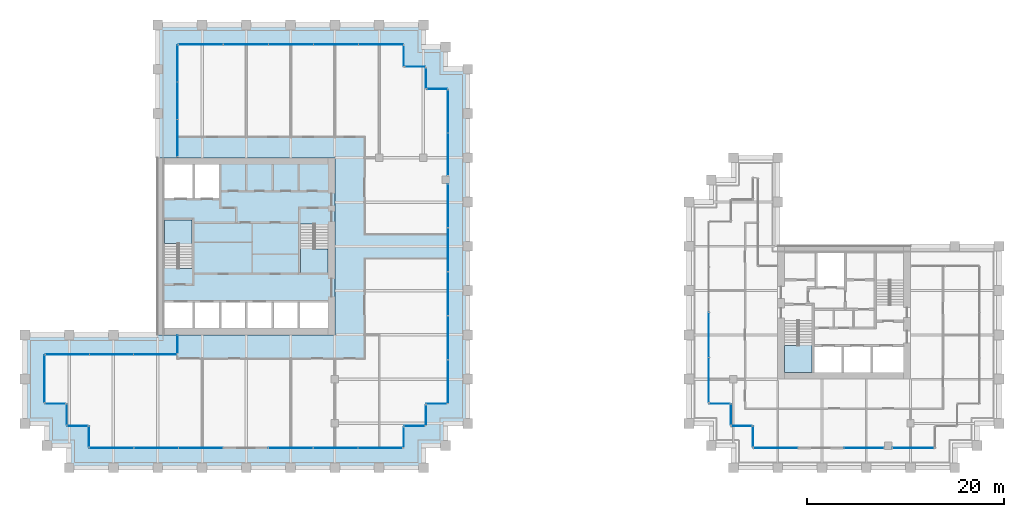
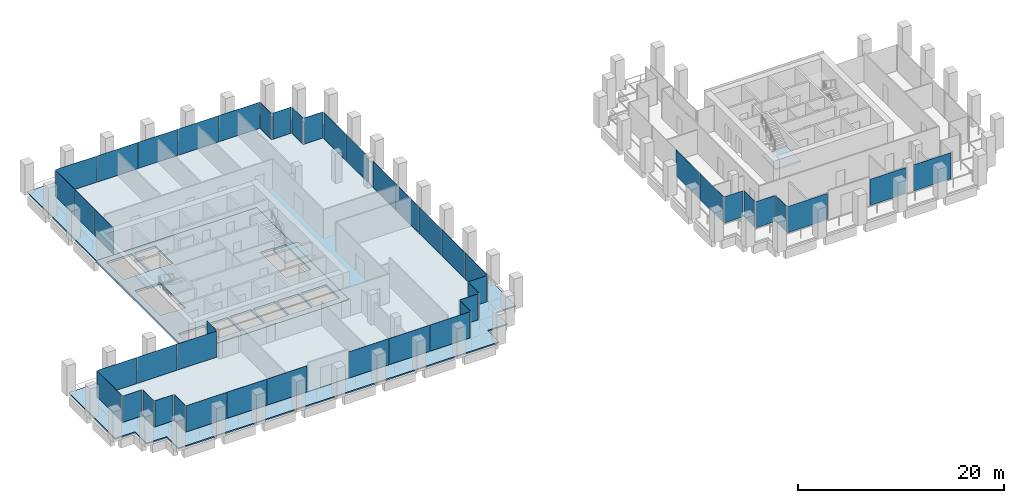
# One storey, part 39 of 46: 47 plates, 6 slabs, 32 elements without a shape of their own.
"""IFC4 building model written with IfcOpenShell, lengths in metres."""

from ifc_helpers import new_model, si_unit, direction, frame, origin, origin_2d, place, context, subcontext, project, spatial, polyline, rectangle, outline, extrude, material, layer, layer_set, type_object, element, aggregate, save


model = new_model("IFC4")

# Units and contexts
model_context = context("Model", 3, precision=1e-05, world=origin(), true_north=direction((0.0, 1.0)))
body_context = subcontext(model_context, "Body", "Model", "MODEL_VIEW")
ifc_project = project(units=[si_unit("LENGTHUNIT", "METRE"), si_unit("AREAUNIT", "SQUARE_METRE"), si_unit("VOLUMEUNIT", "CUBIC_METRE"), si_unit("PLANEANGLEUNIT", "RADIAN"), si_unit("MASSUNIT", "GRAM", prefix="KILO")], contexts=[model_context])

# Site, building, storey
site_placement = place(None, origin())
site = spatial("IfcSite", under=ifc_project, at=site_placement, CompositionType="ELEMENT")
building_placement = place(site_placement, origin())
building = spatial("IfcBuilding", under=site, at=building_placement, Name="Altepetl Exchange Towers", CompositionType="ELEMENT")
storey_placement = place(building_placement, frame((0.0, 0.0, 124.39990234375)))
storey = spatial("IfcBuildingStorey", under=building, at=storey_placement, Name="L30", CompositionType="ELEMENT", Elevation=124.39990234375)

# Slabs
ifc_material_1 = material(Name="Concrete C40/50", Category="concrete")
ifc_layer_1 = layer(ifc_material_1, 0.14990234375)
ifc_layer_set_1 = layer_set([ifc_layer_1], Name="Concrete C40/50")
slab_type_1 = type_object("IfcSlabType", Name="Composite floor slab 150", PredefinedType="FLOOR", material=ifc_layer_set_1)
slab_1_placement = place(storey_placement, frame((0.0, 0.0, -0.14990234375)))
element("IfcSlab", 1, at=slab_1_placement, inside=storey, type_object=slab_type_1, Name="slab:A:L30:strip0", PredefinedType="FLOOR", context=body_context, shape_type="SweptSolid", body=[
    extrude(outline(polyline([(42.5, 70.0), (42.5, 58.5), (58.5, 58.5), (58.5, 40.5), (42.5, 40.5), (42.5, 38.5), (29.0, 38.5), (29.0, 33.5), (31.25, 33.5), (31.25, 31.25), (33.5, 31.25), (33.5, 29.0), (65.5, 29.0), (65.5, 31.25), (67.75, 31.25), (67.75, 33.5), (70.0, 33.5), (70.0, 65.5), (67.75, 65.5), (67.75, 67.75), (65.5, 67.75), (65.5, 70.0), (42.5, 70.0)])), origin(), (0.0, 0.0, 1.0), 0.14990234375),
])
ifc_layer_2 = layer(ifc_material_1, 0.25)
ifc_layer_set_2 = layer_set([ifc_layer_2], Name="Concrete C40/50")
slab_type_2 = type_object("IfcSlabType", Name="Core floor slab 250", PredefinedType="FLOOR", material=ifc_layer_set_2)
slab_2_placement = place(storey_placement, frame((0.0, 0.0, -0.25)))
element("IfcSlab", 2, at=slab_2_placement, inside=storey, type_object=slab_type_2, Name="slab:A:L30:core0", PredefinedType="FLOOR", context=body_context, shape_type="SweptSolid", body=[
    extrude(outline(polyline([(40.5, 40.5), (58.5, 40.5), (58.5, 58.5), (40.5, 58.5), (40.5, 40.5)]), holes=[polyline([(41.199951171875, 43.800048828125), (44.06689453125, 43.800048828125), (44.06689453125, 41.199951171875), (41.199951171875, 41.199951171875), (41.199951171875, 43.800048828125)]), polyline([(44.26708984375, 43.800048828125), (46.73291015625, 43.800048828125), (46.73291015625, 41.199951171875), (44.26708984375, 41.199951171875), (44.26708984375, 43.800048828125)]), polyline([(46.93310546875, 43.800048828125), (49.39990234375, 43.800048828125), (49.39990234375, 41.199951171875), (46.93310546875, 41.199951171875), (46.93310546875, 43.800048828125)]), polyline([(52.06689453125, 43.800048828125), (52.06689453125, 41.199951171875), (49.60009765625, 41.199951171875), (49.60009765625, 43.800048828125), (52.06689453125, 43.800048828125)]), polyline([(54.73291015625, 43.800048828125), (54.73291015625, 41.199951171875), (52.26708984375, 41.199951171875), (52.26708984375, 43.800048828125), (54.73291015625, 43.800048828125)]), polyline([(54.93310546875, 43.800048828125), (57.800048828125, 43.800048828125), (57.800048828125, 41.199951171875), (54.93310546875, 41.199951171875), (54.93310546875, 43.800048828125)]), polyline([(55.0, 51.7490234375), (56.449951171875, 51.7490234375), (56.449951171875, 51.64990234375), (57.800048828125, 51.64990234375), (57.800048828125, 46.800048828125), (55.0, 46.800048828125), (55.0, 51.7490234375)]), polyline([(44.0, 47.2509765625), (42.550048828125, 47.2509765625), (42.550048828125, 47.35009765625), (41.199951171875, 47.35009765625), (41.199951171875, 52.199951171875), (44.0, 52.199951171875), (44.0, 47.2509765625)]), polyline([(44.06689453125, 57.800048828125), (44.06689453125, 54.39990234375), (41.199951171875, 54.39990234375), (41.199951171875, 57.800048828125), (44.06689453125, 57.800048828125)]), polyline([(46.73291015625, 57.800048828125), (46.73291015625, 54.39990234375), (44.26708984375, 54.39990234375), (44.26708984375, 57.800048828125), (46.73291015625, 57.800048828125)])]), origin(), (0.0, 0.0, 1.0), 0.25),
])

# Curtain wall, plate
ifc_material_2 = material(Name="Aluminium 6063-T6 glazing", Category="aluminium")
curtain_wall_type = type_object("IfcCurtainWallType", Name="Loggia glazing system", PredefinedType="NOTDEFINED", material=ifc_material_2)
curtain_wall_1_placement = place(storey_placement, origin())
curtain_wall_1 = element("IfcCurtainWall", 3, at=curtain_wall_1_placement, inside=storey, type_object=curtain_wall_type, Name="CW1 run", PredefinedType="NOTDEFINED")
ifc_material_3 = material(Name="Glass 6-16-6 low emissivity", Category="glass")
ifc_layer_3 = layer(ifc_material_3, 0.028076171875)
ifc_layer_set_3 = layer_set([ifc_layer_3], Name="Glass 6-16-6 low emissivity")
plate_type = type_object("IfcPlateType", Name="Glass panel 28 double glazed", PredefinedType="CURTAIN_PANEL", material=ifc_layer_set_3)
plate_1_placement = place(storey_placement, frame((42.5, 39.53759765625, 0.0), z_axis=(0.0, 0.0, 1.0), x_axis=(0.0, -1.0, 0.0)))
plate_1 = element("IfcPlate", 4, at=plate_1_placement, type_object=plate_type, Name="GP1 panel", PredefinedType="CURTAIN_PANEL", context=body_context, shape_type="SweptSolid", body=[
    extrude(rectangle(XDim=1.804931640625, YDim=0.028076171875, at=origin_2d()), origin(), (0.0, 0.0, 1.0), 3.10009765625),
])
aggregate(curtain_wall_1, [plate_1])

# Curtain wall, plates
curtain_wall_2_placement = place(storey_placement, origin())
curtain_wall_2 = element("IfcCurtainWall", 5, at=curtain_wall_2_placement, inside=storey, type_object=curtain_wall_type, Name="CW1 run", PredefinedType="NOTDEFINED")
plate_2_placement = place(storey_placement, frame((40.24755859375, 38.5, 0.0), z_axis=(0.0, 0.0, 1.0), x_axis=(-1.0, 0.0, 0.0)))
plate_2 = element("IfcPlate", 6, at=plate_2_placement, type_object=plate_type, Name="GP1 panel", PredefinedType="CURTAIN_PANEL", context=body_context, shape_type="SweptSolid", body=[
    extrude(rectangle(XDim=4.385009765625, YDim=0.028076171875, at=origin_2d()), origin(), (0.0, 0.0, 1.0), 3.10009765625),
])
plate_3_placement = place(storey_placement, frame((35.78759765625, 38.5, 0.0), z_axis=(0.0, 0.0, 1.0), x_axis=(-1.0, 0.0, 0.0)))
plate_3 = element("IfcPlate", 7, at=plate_3_placement, type_object=plate_type, Name="GP1 panel", PredefinedType="CURTAIN_PANEL", context=body_context, shape_type="SweptSolid", body=[
    extrude(rectangle(XDim=4.4150390625, YDim=0.028076171875, at=origin_2d()), origin(), (0.0, 0.0, 1.0), 3.10009765625),
])
plate_4_placement = place(storey_placement, frame((31.327392578125, 38.5, 0.0), z_axis=(0.0, 0.0, 1.0), x_axis=(-1.0, 0.0, 0.0)))
plate_4 = element("IfcPlate", 8, at=plate_4_placement, type_object=plate_type, Name="GP1 panel", PredefinedType="CURTAIN_PANEL", context=body_context, shape_type="SweptSolid", body=[
    extrude(rectangle(XDim=4.385009765625, YDim=0.028076171875, at=origin_2d()), origin(), (0.0, 0.0, 1.0), 3.10009765625),
])
aggregate(curtain_wall_2, [plate_2, plate_3, plate_4])

# Curtain wall, plate
curtain_wall_3_placement = place(storey_placement, origin())
curtain_wall_3 = element("IfcCurtainWall", 9, at=curtain_wall_3_placement, inside=storey, type_object=curtain_wall_type, Name="CW1 run", PredefinedType="NOTDEFINED")
plate_5_placement = place(storey_placement, frame((29.0, 36.03759765625, 0.0), z_axis=(0.0, 0.0, 1.0), x_axis=(0.0, -1.0, 0.0)))
plate_5 = element("IfcPlate", 10, at=plate_5_placement, type_object=plate_type, Name="GP1 panel", PredefinedType="CURTAIN_PANEL", context=body_context, shape_type="SweptSolid", body=[
    extrude(rectangle(XDim=4.804931640625, YDim=0.028076171875, at=origin_2d()), origin(), (0.0, 0.0, 1.0), 3.10009765625),
])
aggregate(curtain_wall_3, [plate_5])

curtain_wall_4_placement = place(storey_placement, origin())
curtain_wall_4 = element("IfcCurtainWall", 11, at=curtain_wall_4_placement, inside=storey, type_object=curtain_wall_type, Name="CW1 run", PredefinedType="NOTDEFINED")
plate_6_placement = place(storey_placement, frame((30.08740234375, 33.5, 0.0)))
plate_6 = element("IfcPlate", 12, at=plate_6_placement, type_object=plate_type, Name="GP1 panel", PredefinedType="CURTAIN_PANEL", context=body_context, shape_type="SweptSolid", body=[
    extrude(rectangle(XDim=2.054931640625, YDim=0.028076171875, at=origin_2d()), origin(), (0.0, 0.0, 1.0), 3.10009765625),
])
aggregate(curtain_wall_4, [plate_6])

curtain_wall_5_placement = place(storey_placement, origin())
curtain_wall_5 = element("IfcCurtainWall", 13, at=curtain_wall_5_placement, inside=storey, type_object=curtain_wall_type, Name="CW1 run", PredefinedType="NOTDEFINED")
plate_7_placement = place(storey_placement, frame((31.25, 32.41259765625, 0.0), z_axis=(0.0, 0.0, 1.0), x_axis=(0.0, -1.0, 0.0)))
plate_7 = element("IfcPlate", 14, at=plate_7_placement, type_object=plate_type, Name="GP1 panel", PredefinedType="CURTAIN_PANEL", context=body_context, shape_type="SweptSolid", body=[
    extrude(rectangle(XDim=2.054931640625, YDim=0.028076171875, at=origin_2d()), origin(), (0.0, 0.0, 1.0), 3.10009765625),
])
aggregate(curtain_wall_5, [plate_7])

curtain_wall_6_placement = place(storey_placement, origin())
curtain_wall_6 = element("IfcCurtainWall", 15, at=curtain_wall_6_placement, inside=storey, type_object=curtain_wall_type, Name="CW1 run", PredefinedType="NOTDEFINED")
plate_8_placement = place(storey_placement, frame((32.33740234375, 31.25, 0.0)))
plate_8 = element("IfcPlate", 16, at=plate_8_placement, type_object=plate_type, Name="GP1 panel", PredefinedType="CURTAIN_PANEL", context=body_context, shape_type="SweptSolid", body=[
    extrude(rectangle(XDim=2.054931640625, YDim=0.028076171875, at=origin_2d()), origin(), (0.0, 0.0, 1.0), 3.10009765625),
])
aggregate(curtain_wall_6, [plate_8])

curtain_wall_7_placement = place(storey_placement, origin())
curtain_wall_7 = element("IfcCurtainWall", 17, at=curtain_wall_7_placement, inside=storey, type_object=curtain_wall_type, Name="CW1 run", PredefinedType="NOTDEFINED")
plate_9_placement = place(storey_placement, frame((33.5, 30.16259765625, 0.0), z_axis=(0.0, 0.0, 1.0), x_axis=(0.0, -1.0, 0.0)))
plate_9 = element("IfcPlate", 18, at=plate_9_placement, type_object=plate_type, Name="GP1 panel", PredefinedType="CURTAIN_PANEL", context=body_context, shape_type="SweptSolid", body=[
    extrude(rectangle(XDim=2.054931640625, YDim=0.028076171875, at=origin_2d()), origin(), (0.0, 0.0, 1.0), 3.10009765625),
])
aggregate(curtain_wall_7, [plate_9])

# Curtain wall, plates
curtain_wall_8_placement = place(storey_placement, origin())
curtain_wall_8 = element("IfcCurtainWall", 19, at=curtain_wall_8_placement, inside=storey, type_object=curtain_wall_type, Name="CW1 run", PredefinedType="NOTDEFINED")
plate_10_placement = place(storey_placement, frame((35.79541015625, 29.0, 0.0)))
plate_10 = element("IfcPlate", 20, at=plate_10_placement, type_object=plate_type, Name="GP1 panel", PredefinedType="CURTAIN_PANEL", context=body_context, shape_type="SweptSolid", body=[
    extrude(rectangle(XDim=4.470703125, YDim=0.028076171875, at=origin_2d()), origin(), (0.0, 0.0, 1.0), 3.10009765625),
])
plate_11_placement = place(storey_placement, frame((40.341064453125, 29.0, 0.0)))
plate_11 = element("IfcPlate", 21, at=plate_11_placement, type_object=plate_type, Name="GP1 panel", PredefinedType="CURTAIN_PANEL", context=body_context, shape_type="SweptSolid", body=[
    extrude(rectangle(XDim=4.500732421875, YDim=0.028076171875, at=origin_2d()), origin(), (0.0, 0.0, 1.0), 3.10009765625),
])
plate_12_placement = place(storey_placement, frame((44.88671875, 29.0, 0.0)))
plate_12 = element("IfcPlate", 22, at=plate_12_placement, type_object=plate_type, Name="GP1 panel", PredefinedType="CURTAIN_PANEL", context=body_context, shape_type="SweptSolid", body=[
    extrude(rectangle(XDim=4.470703125, YDim=0.028076171875, at=origin_2d()), origin(), (0.0, 0.0, 1.0), 3.10009765625),
])
aggregate(curtain_wall_8, [plate_10, plate_11, plate_12])

curtain_wall_9_placement = place(storey_placement, origin())
curtain_wall_9 = element("IfcCurtainWall", 23, at=curtain_wall_9_placement, inside=storey, type_object=curtain_wall_type, Name="CW1 run", PredefinedType="NOTDEFINED")
plate_13_placement = place(storey_placement, frame((54.038330078125, 29.0, 0.0)))
plate_13 = element("IfcPlate", 24, at=plate_13_placement, type_object=plate_type, Name="GP1 panel", PredefinedType="CURTAIN_PANEL", context=body_context, shape_type="SweptSolid", body=[
    extrude(rectangle(XDim=4.470703125, YDim=0.028076171875, at=origin_2d()), origin(), (0.0, 0.0, 1.0), 3.10009765625),
])
plate_14_placement = place(storey_placement, frame((58.583984375, 29.0, 0.0)))
plate_14 = element("IfcPlate", 25, at=plate_14_placement, type_object=plate_type, Name="GP1 panel", PredefinedType="CURTAIN_PANEL", context=body_context, shape_type="SweptSolid", body=[
    extrude(rectangle(XDim=4.500732421875, YDim=0.028076171875, at=origin_2d()), origin(), (0.0, 0.0, 1.0), 3.10009765625),
])
plate_15_placement = place(storey_placement, frame((63.129638671875, 29.0, 0.0)))
plate_15 = element("IfcPlate", 26, at=plate_15_placement, type_object=plate_type, Name="GP1 panel", PredefinedType="CURTAIN_PANEL", context=body_context, shape_type="SweptSolid", body=[
    extrude(rectangle(XDim=4.470703125, YDim=0.028076171875, at=origin_2d()), origin(), (0.0, 0.0, 1.0), 3.10009765625),
])
aggregate(curtain_wall_9, [plate_13, plate_14, plate_15])

# Curtain wall, plate
curtain_wall_10_placement = place(storey_placement, origin())
curtain_wall_10 = element("IfcCurtainWall", 27, at=curtain_wall_10_placement, inside=storey, type_object=curtain_wall_type, Name="CW1 run", PredefinedType="NOTDEFINED")
plate_16_placement = place(storey_placement, frame((65.5, 30.08740234375, 0.0), z_axis=(0.0, 0.0, 1.0), x_axis=(0.0, 1.0, 0.0)))
plate_16 = element("IfcPlate", 28, at=plate_16_placement, type_object=plate_type, Name="GP1 panel", PredefinedType="CURTAIN_PANEL", context=body_context, shape_type="SweptSolid", body=[
    extrude(rectangle(XDim=2.054931640625, YDim=0.028076171875, at=origin_2d()), origin(), (0.0, 0.0, 1.0), 3.10009765625),
])
aggregate(curtain_wall_10, [plate_16])

curtain_wall_11_placement = place(storey_placement, origin())
curtain_wall_11 = element("IfcCurtainWall", 29, at=curtain_wall_11_placement, inside=storey, type_object=curtain_wall_type, Name="CW1 run", PredefinedType="NOTDEFINED")
plate_17_placement = place(storey_placement, frame((66.58740234375, 31.25, 0.0)))
plate_17 = element("IfcPlate", 30, at=plate_17_placement, type_object=plate_type, Name="GP1 panel", PredefinedType="CURTAIN_PANEL", context=body_context, shape_type="SweptSolid", body=[
    extrude(rectangle(XDim=2.054931640625, YDim=0.028076171875, at=origin_2d()), origin(), (0.0, 0.0, 1.0), 3.10009765625),
])
aggregate(curtain_wall_11, [plate_17])

curtain_wall_12_placement = place(storey_placement, origin())
curtain_wall_12 = element("IfcCurtainWall", 31, at=curtain_wall_12_placement, inside=storey, type_object=curtain_wall_type, Name="CW1 run", PredefinedType="NOTDEFINED")
plate_18_placement = place(storey_placement, frame((67.75, 32.33740234375, 0.0), z_axis=(0.0, 0.0, 1.0), x_axis=(0.0, 1.0, 0.0)))
plate_18 = element("IfcPlate", 32, at=plate_18_placement, type_object=plate_type, Name="GP1 panel", PredefinedType="CURTAIN_PANEL", context=body_context, shape_type="SweptSolid", body=[
    extrude(rectangle(XDim=2.054931640625, YDim=0.028076171875, at=origin_2d()), origin(), (0.0, 0.0, 1.0), 3.10009765625),
])
aggregate(curtain_wall_12, [plate_18])

curtain_wall_13_placement = place(storey_placement, origin())
curtain_wall_13 = element("IfcCurtainWall", 33, at=curtain_wall_13_placement, inside=storey, type_object=curtain_wall_type, Name="CW1 run", PredefinedType="NOTDEFINED")
plate_19_placement = place(storey_placement, frame((68.83740234375, 33.5, 0.0)))
plate_19 = element("IfcPlate", 34, at=plate_19_placement, type_object=plate_type, Name="GP1 panel", PredefinedType="CURTAIN_PANEL", context=body_context, shape_type="SweptSolid", body=[
    extrude(rectangle(XDim=2.054931640625, YDim=0.028076171875, at=origin_2d()), origin(), (0.0, 0.0, 1.0), 3.10009765625),
])
aggregate(curtain_wall_13, [plate_19])

# Curtain wall, plates
curtain_wall_14_placement = place(storey_placement, origin())
curtain_wall_14 = element("IfcCurtainWall", 35, at=curtain_wall_14_placement, inside=storey, type_object=curtain_wall_type, Name="CW1 run", PredefinedType="NOTDEFINED")
plate_20_placement = place(storey_placement, frame((70.0, 35.75048828125, 0.0), z_axis=(0.0, 0.0, 1.0), x_axis=(0.0, 1.0, 0.0)))
plate_20 = element("IfcPlate", 36, at=plate_20_placement, type_object=plate_type, Name="GP1 panel", PredefinedType="CURTAIN_PANEL", context=body_context, shape_type="SweptSolid", body=[
    extrude(rectangle(XDim=4.381103515625, YDim=0.028076171875, at=origin_2d()), origin(), (0.0, 0.0, 1.0), 3.10009765625),
])
plate_21_placement = place(storey_placement, frame((70.0, 40.20654296875, 0.0), z_axis=(0.0, 0.0, 1.0), x_axis=(0.0, 1.0, 0.0)))
plate_21 = element("IfcPlate", 37, at=plate_21_placement, type_object=plate_type, Name="GP1 panel", PredefinedType="CURTAIN_PANEL", context=body_context, shape_type="SweptSolid", body=[
    extrude(rectangle(XDim=4.410888671875, YDim=0.028076171875, at=origin_2d()), origin(), (0.0, 0.0, 1.0), 3.10009765625),
])
plate_22_placement = place(storey_placement, frame((70.0, 44.677490234375, 0.0), z_axis=(0.0, 0.0, 1.0), x_axis=(0.0, 1.0, 0.0)))
plate_22 = element("IfcPlate", 38, at=plate_22_placement, type_object=plate_type, Name="GP1 panel", PredefinedType="CURTAIN_PANEL", context=body_context, shape_type="SweptSolid", body=[
    extrude(rectangle(XDim=4.410888671875, YDim=0.028076171875, at=origin_2d()), origin(), (0.0, 0.0, 1.0), 3.10009765625),
])
plate_23_placement = place(storey_placement, frame((70.0, 49.1484375, 0.0), z_axis=(0.0, 0.0, 1.0), x_axis=(0.0, 1.0, 0.0)))
plate_23 = element("IfcPlate", 39, at=plate_23_placement, type_object=plate_type, Name="GP1 panel", PredefinedType="CURTAIN_PANEL", context=body_context, shape_type="SweptSolid", body=[
    extrude(rectangle(XDim=4.410888671875, YDim=0.028076171875, at=origin_2d()), origin(), (0.0, 0.0, 1.0), 3.10009765625),
])
plate_24_placement = place(storey_placement, frame((70.0, 53.6044921875, 0.0), z_axis=(0.0, 0.0, 1.0), x_axis=(0.0, 1.0, 0.0)))
plate_24 = element("IfcPlate", 40, at=plate_24_placement, type_object=plate_type, Name="GP1 panel", PredefinedType="CURTAIN_PANEL", context=body_context, shape_type="SweptSolid", body=[
    extrude(rectangle(XDim=4.381103515625, YDim=0.028076171875, at=origin_2d()), origin(), (0.0, 0.0, 1.0), 3.10009765625),
])
aggregate(curtain_wall_14, [plate_20, plate_21, plate_22, plate_23, plate_24])

curtain_wall_15_placement = place(storey_placement, origin())
curtain_wall_15 = element("IfcCurtainWall", 41, at=curtain_wall_15_placement, inside=storey, type_object=curtain_wall_type, Name="CW1 run", PredefinedType="NOTDEFINED")
plate_25_placement = place(storey_placement, frame((70.0, 58.85498046875, 0.0), z_axis=(0.0, 0.0, 1.0), x_axis=(0.0, 1.0, 0.0)))
plate_25 = element("IfcPlate", 42, at=plate_25_placement, type_object=plate_type, Name="GP1 panel", PredefinedType="CURTAIN_PANEL", context=body_context, shape_type="SweptSolid", body=[
    extrude(rectangle(XDim=4.300048828125, YDim=0.028076171875, at=origin_2d()), origin(), (0.0, 0.0, 1.0), 3.10009765625),
])
plate_26_placement = place(storey_placement, frame((70.0, 63.215087890625, 0.0), z_axis=(0.0, 0.0, 1.0), x_axis=(0.0, 1.0, 0.0)))
plate_26 = element("IfcPlate", 43, at=plate_26_placement, type_object=plate_type, Name="GP1 panel", PredefinedType="CURTAIN_PANEL", context=body_context, shape_type="SweptSolid", body=[
    extrude(rectangle(XDim=4.300048828125, YDim=0.028076171875, at=origin_2d()), origin(), (0.0, 0.0, 1.0), 3.10009765625),
])
aggregate(curtain_wall_15, [plate_25, plate_26])

# Curtain wall, plate
curtain_wall_16_placement = place(storey_placement, origin())
curtain_wall_16 = element("IfcCurtainWall", 44, at=curtain_wall_16_placement, inside=storey, type_object=curtain_wall_type, Name="CW1 run", PredefinedType="NOTDEFINED")
plate_27_placement = place(storey_placement, frame((68.91259765625, 65.5, 0.0), z_axis=(0.0, 0.0, 1.0), x_axis=(-1.0, 0.0, 0.0)))
plate_27 = element("IfcPlate", 45, at=plate_27_placement, type_object=plate_type, Name="GP1 panel", PredefinedType="CURTAIN_PANEL", context=body_context, shape_type="SweptSolid", body=[
    extrude(rectangle(XDim=2.054931640625, YDim=0.028076171875, at=origin_2d()), origin(), (0.0, 0.0, 1.0), 3.10009765625),
])
aggregate(curtain_wall_16, [plate_27])

curtain_wall_17_placement = place(storey_placement, origin())
curtain_wall_17 = element("IfcCurtainWall", 46, at=curtain_wall_17_placement, inside=storey, type_object=curtain_wall_type, Name="CW1 run", PredefinedType="NOTDEFINED")
plate_28_placement = place(storey_placement, frame((67.75, 66.58740234375, 0.0), z_axis=(0.0, 0.0, 1.0), x_axis=(0.0, 1.0, 0.0)))
plate_28 = element("IfcPlate", 47, at=plate_28_placement, type_object=plate_type, Name="GP1 panel", PredefinedType="CURTAIN_PANEL", context=body_context, shape_type="SweptSolid", body=[
    extrude(rectangle(XDim=2.054931640625, YDim=0.028076171875, at=origin_2d()), origin(), (0.0, 0.0, 1.0), 3.10009765625),
])
aggregate(curtain_wall_17, [plate_28])

curtain_wall_18_placement = place(storey_placement, origin())
curtain_wall_18 = element("IfcCurtainWall", 48, at=curtain_wall_18_placement, inside=storey, type_object=curtain_wall_type, Name="CW1 run", PredefinedType="NOTDEFINED")
plate_29_placement = place(storey_placement, frame((66.66259765625, 67.75, 0.0), z_axis=(0.0, 0.0, 1.0), x_axis=(-1.0, 0.0, 0.0)))
plate_29 = element("IfcPlate", 49, at=plate_29_placement, type_object=plate_type, Name="GP1 panel", PredefinedType="CURTAIN_PANEL", context=body_context, shape_type="SweptSolid", body=[
    extrude(rectangle(XDim=2.054931640625, YDim=0.028076171875, at=origin_2d()), origin(), (0.0, 0.0, 1.0), 3.10009765625),
])
aggregate(curtain_wall_18, [plate_29])

curtain_wall_19_placement = place(storey_placement, origin())
curtain_wall_19 = element("IfcCurtainWall", 50, at=curtain_wall_19_placement, inside=storey, type_object=curtain_wall_type, Name="CW1 run", PredefinedType="NOTDEFINED")
plate_30_placement = place(storey_placement, frame((65.5, 68.83740234375, 0.0), z_axis=(0.0, 0.0, 1.0), x_axis=(0.0, 1.0, 0.0)))
plate_30 = element("IfcPlate", 51, at=plate_30_placement, type_object=plate_type, Name="GP1 panel", PredefinedType="CURTAIN_PANEL", context=body_context, shape_type="SweptSolid", body=[
    extrude(rectangle(XDim=2.054931640625, YDim=0.028076171875, at=origin_2d()), origin(), (0.0, 0.0, 1.0), 3.10009765625),
])
aggregate(curtain_wall_19, [plate_30])

# Curtain wall, plates
curtain_wall_20_placement = place(storey_placement, origin())
curtain_wall_20 = element("IfcCurtainWall", 52, at=curtain_wall_20_placement, inside=storey, type_object=curtain_wall_type, Name="CW1 run", PredefinedType="NOTDEFINED")
plate_31_placement = place(storey_placement, frame((63.1923828125, 70.0, 0.0), z_axis=(0.0, 0.0, 1.0), x_axis=(-1.0, 0.0, 0.0)))
plate_31 = element("IfcPlate", 53, at=plate_31_placement, type_object=plate_type, Name="GP1 panel", PredefinedType="CURTAIN_PANEL", context=body_context, shape_type="SweptSolid", body=[
    extrude(rectangle(XDim=4.4951171875, YDim=0.028076171875, at=origin_2d()), origin(), (0.0, 0.0, 1.0), 3.10009765625),
])
plate_32_placement = place(storey_placement, frame((58.62255859375, 70.0, 0.0), z_axis=(0.0, 0.0, 1.0), x_axis=(-1.0, 0.0, 0.0)))
plate_32 = element("IfcPlate", 54, at=plate_32_placement, type_object=plate_type, Name="GP1 panel", PredefinedType="CURTAIN_PANEL", context=body_context, shape_type="SweptSolid", body=[
    extrude(rectangle(XDim=4.52490234375, YDim=0.028076171875, at=origin_2d()), origin(), (0.0, 0.0, 1.0), 3.10009765625),
])
plate_33_placement = place(storey_placement, frame((54.03759765625, 70.0, 0.0), z_axis=(0.0, 0.0, 1.0), x_axis=(-1.0, 0.0, 0.0)))
plate_33 = element("IfcPlate", 55, at=plate_33_placement, type_object=plate_type, Name="GP1 panel", PredefinedType="CURTAIN_PANEL", context=body_context, shape_type="SweptSolid", body=[
    extrude(rectangle(XDim=4.52490234375, YDim=0.028076171875, at=origin_2d()), origin(), (0.0, 0.0, 1.0), 3.10009765625),
])
plate_34_placement = place(storey_placement, frame((49.452392578125, 70.0, 0.0), z_axis=(0.0, 0.0, 1.0), x_axis=(-1.0, 0.0, 0.0)))
plate_34 = element("IfcPlate", 56, at=plate_34_placement, type_object=plate_type, Name="GP1 panel", PredefinedType="CURTAIN_PANEL", context=body_context, shape_type="SweptSolid", body=[
    extrude(rectangle(XDim=4.52490234375, YDim=0.028076171875, at=origin_2d()), origin(), (0.0, 0.0, 1.0), 3.10009765625),
])
plate_35_placement = place(storey_placement, frame((44.882568359375, 70.0, 0.0), z_axis=(0.0, 0.0, 1.0), x_axis=(-1.0, 0.0, 0.0)))
plate_35 = element("IfcPlate", 57, at=plate_35_placement, type_object=plate_type, Name="GP1 panel", PredefinedType="CURTAIN_PANEL", context=body_context, shape_type="SweptSolid", body=[
    extrude(rectangle(XDim=4.4951171875, YDim=0.028076171875, at=origin_2d()), origin(), (0.0, 0.0, 1.0), 3.10009765625),
])
aggregate(curtain_wall_20, [plate_31, plate_32, plate_33, plate_34, plate_35])

curtain_wall_21_placement = place(storey_placement, origin())
curtain_wall_21 = element("IfcCurtainWall", 58, at=curtain_wall_21_placement, inside=storey, type_object=curtain_wall_type, Name="CW1 run", PredefinedType="NOTDEFINED")
plate_36_placement = place(storey_placement, frame((42.5, 68.080810546875, 0.0), z_axis=(0.0, 0.0, 1.0), x_axis=(0.0, -1.0, 0.0)))
plate_36 = element("IfcPlate", 59, at=plate_36_placement, type_object=plate_type, Name="GP1 panel", PredefinedType="CURTAIN_PANEL", context=body_context, shape_type="SweptSolid", body=[
    extrude(rectangle(XDim=3.71826171875, YDim=0.028076171875, at=origin_2d()), origin(), (0.0, 0.0, 1.0), 3.10009765625),
])
plate_37_placement = place(storey_placement, frame((42.5, 64.28759765625, 0.0), z_axis=(0.0, 0.0, 1.0), x_axis=(0.0, -1.0, 0.0)))
plate_37 = element("IfcPlate", 60, at=plate_37_placement, type_object=plate_type, Name="GP1 panel", PredefinedType="CURTAIN_PANEL", context=body_context, shape_type="SweptSolid", body=[
    extrude(rectangle(XDim=3.748291015625, YDim=0.028076171875, at=origin_2d()), origin(), (0.0, 0.0, 1.0), 3.10009765625),
])
plate_38_placement = place(storey_placement, frame((42.5, 60.494140625, 0.0), z_axis=(0.0, 0.0, 1.0), x_axis=(0.0, -1.0, 0.0)))
plate_38 = element("IfcPlate", 61, at=plate_38_placement, type_object=plate_type, Name="GP1 panel", PredefinedType="CURTAIN_PANEL", context=body_context, shape_type="SweptSolid", body=[
    extrude(rectangle(XDim=3.71826171875, YDim=0.028076171875, at=origin_2d()), origin(), (0.0, 0.0, 1.0), 3.10009765625),
])
aggregate(curtain_wall_21, [plate_36, plate_37, plate_38])

curtain_wall_22_placement = place(storey_placement, origin())
curtain_wall_22 = element("IfcCurtainWall", 62, at=curtain_wall_22_placement, inside=storey, type_object=curtain_wall_type, Name="CW1 run", PredefinedType="NOTDEFINED")
plate_39_placement = place(storey_placement, frame((96.5, 40.484375, 0.0), z_axis=(0.0, 0.0, 1.0), x_axis=(0.0, -1.0, 0.0)))
plate_39 = element("IfcPlate", 63, at=plate_39_placement, type_object=plate_type, Name="GP1 panel", PredefinedType="CURTAIN_PANEL", context=body_context, shape_type="SweptSolid", body=[
    extrude(rectangle(XDim=4.546142578125, YDim=0.028076171875, at=origin_2d()), origin(), (0.0, 0.0, 1.0), 3.10009765625),
])
plate_40_placement = place(storey_placement, frame((96.5, 35.89306640625, 0.0), z_axis=(0.0, 0.0, 1.0), x_axis=(0.0, -1.0, 0.0)))
plate_40 = element("IfcPlate", 64, at=plate_40_placement, type_object=plate_type, Name="GP1 panel", PredefinedType="CURTAIN_PANEL", context=body_context, shape_type="SweptSolid", body=[
    extrude(rectangle(XDim=4.516357421875, YDim=0.028076171875, at=origin_2d()), origin(), (0.0, 0.0, 1.0), 3.10009765625),
])
aggregate(curtain_wall_22, [plate_39, plate_40])

# Curtain wall, plate
curtain_wall_23_placement = place(storey_placement, origin())
curtain_wall_23 = element("IfcCurtainWall", 65, at=curtain_wall_23_placement, inside=storey, type_object=curtain_wall_type, Name="CW1 run", PredefinedType="NOTDEFINED")
plate_41_placement = place(storey_placement, frame((97.58740234375, 33.5, 0.0)))
plate_41 = element("IfcPlate", 66, at=plate_41_placement, type_object=plate_type, Name="GP1 panel", PredefinedType="CURTAIN_PANEL", context=body_context, shape_type="SweptSolid", body=[
    extrude(rectangle(XDim=2.054931640625, YDim=0.028076171875, at=origin_2d()), origin(), (0.0, 0.0, 1.0), 3.10009765625),
])
aggregate(curtain_wall_23, [plate_41])

curtain_wall_24_placement = place(storey_placement, origin())
curtain_wall_24 = element("IfcCurtainWall", 67, at=curtain_wall_24_placement, inside=storey, type_object=curtain_wall_type, Name="CW1 run", PredefinedType="NOTDEFINED")
plate_42_placement = place(storey_placement, frame((98.75, 32.41259765625, 0.0), z_axis=(0.0, 0.0, 1.0), x_axis=(0.0, -1.0, 0.0)))
plate_42 = element("IfcPlate", 68, at=plate_42_placement, type_object=plate_type, Name="GP1 panel", PredefinedType="CURTAIN_PANEL", context=body_context, shape_type="SweptSolid", body=[
    extrude(rectangle(XDim=2.054931640625, YDim=0.028076171875, at=origin_2d()), origin(), (0.0, 0.0, 1.0), 3.10009765625),
])
aggregate(curtain_wall_24, [plate_42])

curtain_wall_25_placement = place(storey_placement, origin())
curtain_wall_25 = element("IfcCurtainWall", 69, at=curtain_wall_25_placement, inside=storey, type_object=curtain_wall_type, Name="CW1 run", PredefinedType="NOTDEFINED")
plate_43_placement = place(storey_placement, frame((99.83740234375, 31.25, 0.0)))
plate_43 = element("IfcPlate", 70, at=plate_43_placement, type_object=plate_type, Name="GP1 panel", PredefinedType="CURTAIN_PANEL", context=body_context, shape_type="SweptSolid", body=[
    extrude(rectangle(XDim=2.054931640625, YDim=0.028076171875, at=origin_2d()), origin(), (0.0, 0.0, 1.0), 3.10009765625),
])
aggregate(curtain_wall_25, [plate_43])

curtain_wall_26_placement = place(storey_placement, origin())
curtain_wall_26 = element("IfcCurtainWall", 71, at=curtain_wall_26_placement, inside=storey, type_object=curtain_wall_type, Name="CW1 run", PredefinedType="NOTDEFINED")
plate_44_placement = place(storey_placement, frame((101.0, 30.16259765625, 0.0), z_axis=(0.0, 0.0, 1.0), x_axis=(0.0, -1.0, 0.0)))
plate_44 = element("IfcPlate", 72, at=plate_44_placement, type_object=plate_type, Name="GP1 panel", PredefinedType="CURTAIN_PANEL", context=body_context, shape_type="SweptSolid", body=[
    extrude(rectangle(XDim=2.054931640625, YDim=0.028076171875, at=origin_2d()), origin(), (0.0, 0.0, 1.0), 3.10009765625),
])
aggregate(curtain_wall_26, [plate_44])

curtain_wall_27_placement = place(storey_placement, origin())
curtain_wall_27 = element("IfcCurtainWall", 73, at=curtain_wall_27_placement, inside=storey, type_object=curtain_wall_type, Name="CW1 run", PredefinedType="NOTDEFINED")
plate_45_placement = place(storey_placement, frame((103.30322265625, 29.0, 0.0)))
plate_45 = element("IfcPlate", 74, at=plate_45_placement, type_object=plate_type, Name="GP1 panel", PredefinedType="CURTAIN_PANEL", context=body_context, shape_type="SweptSolid", body=[
    extrude(rectangle(XDim=4.486328125, YDim=0.028076171875, at=origin_2d()), origin(), (0.0, 0.0, 1.0), 3.10009765625),
])
aggregate(curtain_wall_27, [plate_45])

curtain_wall_28_placement = place(storey_placement, origin())
curtain_wall_28 = element("IfcCurtainWall", 75, at=curtain_wall_28_placement, inside=storey, type_object=curtain_wall_type, Name="CW1 run", PredefinedType="NOTDEFINED")
plate_46_placement = place(storey_placement, frame((112.28369140625, 29.0, 0.0)))
plate_46 = element("IfcPlate", 76, at=plate_46_placement, type_object=plate_type, Name="GP1 panel", PredefinedType="CURTAIN_PANEL", context=body_context, shape_type="SweptSolid", body=[
    extrude(rectangle(XDim=4.0224609375, YDim=0.028076171875, at=origin_2d()), origin(), (0.0, 0.0, 1.0), 3.10009765625),
])
aggregate(curtain_wall_28, [plate_46])

curtain_wall_29_placement = place(storey_placement, origin())
curtain_wall_29 = element("IfcCurtainWall", 77, at=curtain_wall_29_placement, inside=storey, type_object=curtain_wall_type, Name="CW1 run", PredefinedType="NOTDEFINED")
plate_47_placement = place(storey_placement, frame((117.284912109375, 29.0, 0.0)))
plate_47 = element("IfcPlate", 78, at=plate_47_placement, type_object=plate_type, Name="GP1 panel", PredefinedType="CURTAIN_PANEL", context=body_context, shape_type="SweptSolid", body=[
    extrude(rectangle(XDim=4.159912109375, YDim=0.028076171875, at=origin_2d()), origin(), (0.0, 0.0, 1.0), 3.10009765625),
])
aggregate(curtain_wall_29, [plate_47])

# Slab
ifc_layer_4 = layer(ifc_material_1, 0.14990234375)
ifc_layer_set_4 = layer_set([ifc_layer_4], Name="Concrete C40/50")
slab_type_3 = type_object("IfcSlabType", Name="Loggia slab 150", PredefinedType="FLOOR", material=ifc_layer_set_4)
slab_3_placement = place(storey_placement, frame((0.0, 0.0, -0.14990234375)))
element("IfcSlab", 79, at=slab_3_placement, inside=storey, type_object=slab_type_3, Name="slab:A:L30:loggia0", PredefinedType="FLOOR", context=body_context, shape_type="SweptSolid", body=[
    extrude(outline(polyline([(40.5, 72.0), (40.5, 58.5), (42.5, 58.5), (42.5, 70.0), (65.5, 70.0), (65.5, 67.75), (67.75, 67.75), (67.75, 65.5), (70.0, 65.5), (70.0, 33.5), (67.75, 33.5), (67.75, 31.25), (65.5, 31.25), (65.5, 29.0), (33.5, 29.0), (33.5, 31.25), (31.25, 31.25), (31.25, 33.5), (29.0, 33.5), (29.0, 38.5), (42.5, 38.5), (42.5, 40.5), (40.5, 40.5), (27.0, 40.5), (27.0, 31.5), (29.25, 31.5), (29.25, 29.25), (31.5, 29.25), (31.5, 27.0), (58.5, 27.0), (67.5, 27.0), (67.5, 29.25), (69.75, 29.25), (69.75, 31.5), (72.0, 31.5), (72.0, 58.5), (72.0, 67.5), (69.75, 67.5), (69.75, 69.75), (67.5, 69.75), (67.5, 72.0), (40.5, 72.0)])), origin(), (0.0, 0.0, 1.0), 0.14990234375),
])

# Stair, slab
stair_type = type_object("IfcStairType", Name="Exit stair 1350 flights dogleg", PredefinedType="HALF_TURN_STAIR", material=ifc_material_1)
stair_1_placement = place(storey_placement, origin())
stair_1 = element("IfcStair", 80, at=stair_1_placement, inside=storey, type_object=stair_type, Name="Exit stair 1", PredefinedType="HALF_TURN_STAIR")
ifc_layer_5 = layer(ifc_material_1, 0.199951171875)
ifc_layer_set_5 = layer_set([ifc_layer_5], Name="Concrete C40/50")
slab_type_4 = type_object("IfcSlabType", Name="Stair landing 200 reinforced concrete", PredefinedType="LANDING", material=ifc_layer_set_5)
slab_4_placement = place(storey_placement, frame((0.0, 0.0, 1.60009765625)))
slab_4 = element("IfcSlab", 81, at=slab_4_placement, type_object=slab_type_4, Name="ST-A1d landing 1", PredefinedType="LANDING", context=body_context, shape_type="SweptSolid", body=[
    extrude(outline(polyline([(44.0, 49.669921875), (42.64990234375, 49.669921875), (42.64990234375, 49.77001953125), (42.550048828125, 49.77001953125), (42.550048828125, 49.769287109375), (41.199951171875, 49.769287109375), (41.199951171875, 49.77001953125), (41.199951171875, 52.199951171875), (44.0, 52.199951171875), (44.0, 49.77001953125), (44.0, 49.669921875)])), origin(), (0.0, 0.0, 1.0), 0.199951171875),
])
aggregate(stair_1, [slab_4])

stair_2_placement = place(storey_placement, origin())
stair_2 = element("IfcStair", 82, at=stair_2_placement, inside=storey, type_object=stair_type, Name="Exit stair 2", PredefinedType="HALF_TURN_STAIR")
slab_5_placement = place(storey_placement, frame((0.0, 0.0, 1.60009765625)))
slab_5 = element("IfcSlab", 83, at=slab_5_placement, type_object=slab_type_4, Name="ST-A2d landing 1", PredefinedType="LANDING", context=body_context, shape_type="SweptSolid", body=[
    extrude(outline(polyline([(57.800048828125, 46.800048828125), (55.0, 46.800048828125), (55.0, 49.22998046875), (55.0, 49.330078125), (56.35009765625, 49.330078125), (56.35009765625, 49.22998046875), (56.449951171875, 49.22998046875), (56.449951171875, 49.230712890625), (57.800048828125, 49.230712890625), (57.800048828125, 49.22998046875), (57.800048828125, 46.800048828125)])), origin(), (0.0, 0.0, 1.0), 0.199951171875),
])
aggregate(stair_2, [slab_5])

stair_3_placement = place(storey_placement, origin())
stair_3 = element("IfcStair", 84, at=stair_3_placement, inside=storey, type_object=stair_type, Name="Exit stair 1", PredefinedType="HALF_TURN_STAIR")
slab_6_placement = place(storey_placement, frame((0.0, 0.0, 1.60009765625)))
slab_6 = element("IfcSlab", 85, at=slab_6_placement, type_object=slab_type_4, Name="ST-B1d landing 1", PredefinedType="LANDING", context=body_context, shape_type="SweptSolid", body=[
    extrude(outline(polyline([(107.0, 36.699951171875), (104.199951171875, 36.699951171875), (104.199951171875, 39.429931640625), (104.199951171875, 39.4306640625), (105.550048828125, 39.4306640625), (105.550048828125, 39.429931640625), (105.64990234375, 39.429931640625), (105.64990234375, 39.530029296875), (107.0, 39.530029296875), (107.0, 39.429931640625), (107.0, 36.699951171875)])), origin(), (0.0, 0.0, 1.0), 0.199951171875),
])
aggregate(stair_3, [slab_6])

save(model, "model.ifc")
